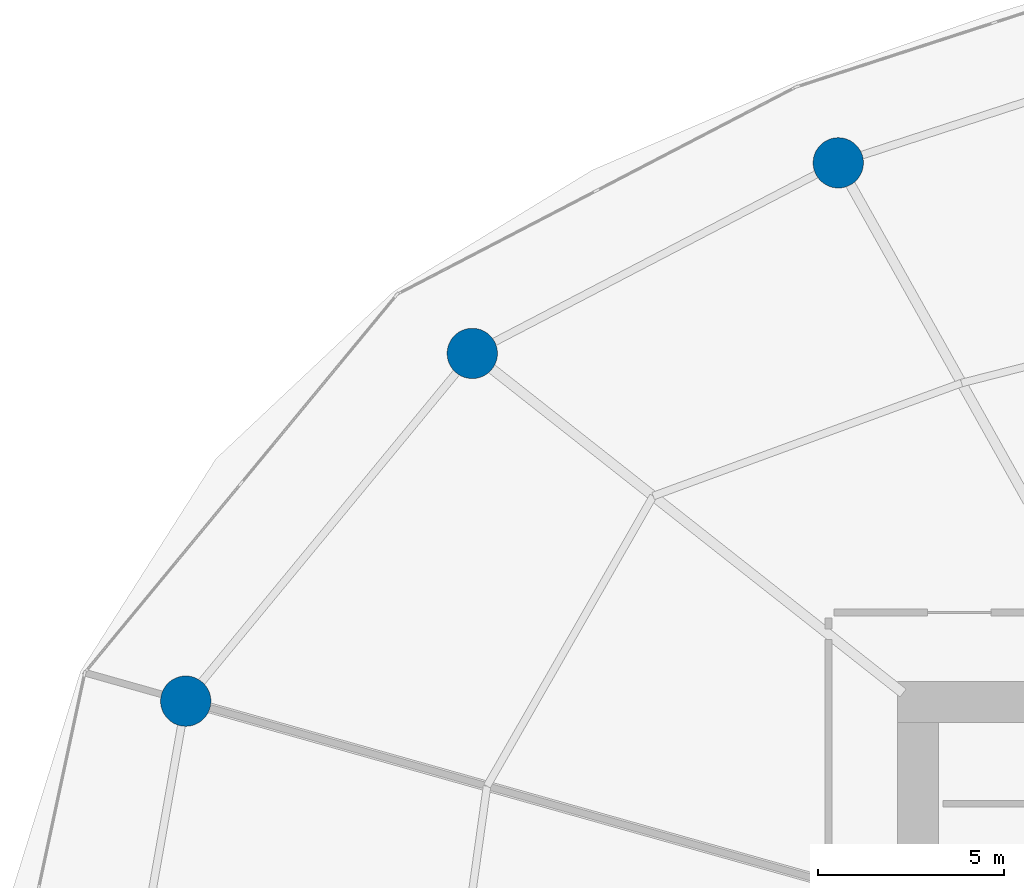
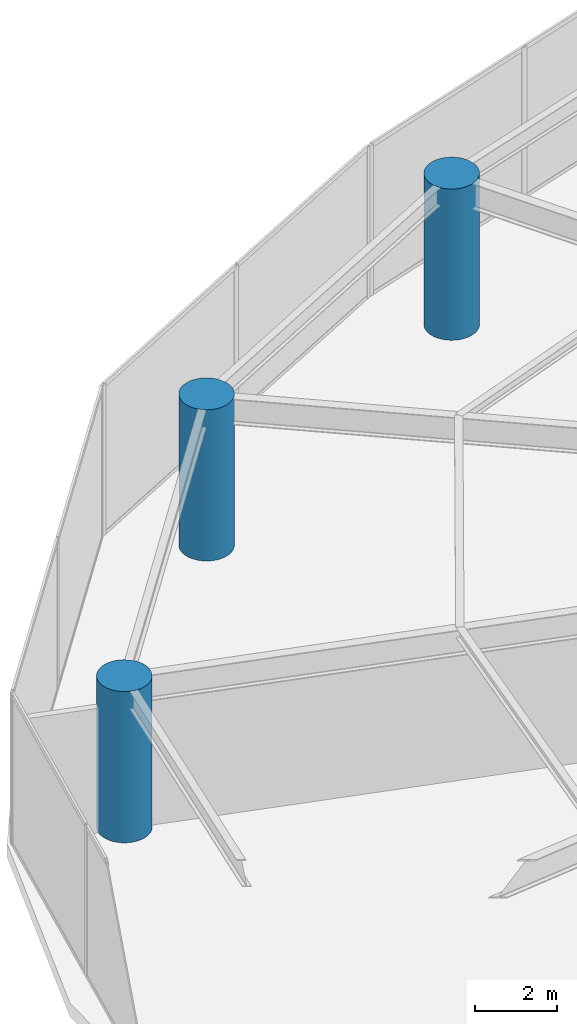
# One storey, part 4 of 22: 3 columns.
"""IFC4 building model written with IfcOpenShell, lengths in metres."""

from ifc_helpers import new_model, si_unit, direction, frame, origin, origin_2d, place, context, subcontext, project, spatial, circle, extrude, material, material_profile, profile_set, type_object, element, save


model = new_model("IFC4")

# Units and contexts
model_context = context("Model", 3, precision=1e-05, world=origin(), true_north=direction((0.0, 1.0)))
body_context = subcontext(model_context, "Body", "Model", "MODEL_VIEW")
ifc_project = project(units=[si_unit("LENGTHUNIT", "METRE"), si_unit("AREAUNIT", "SQUARE_METRE"), si_unit("VOLUMEUNIT", "CUBIC_METRE"), si_unit("PLANEANGLEUNIT", "RADIAN"), si_unit("MASSUNIT", "GRAM", prefix="KILO")], contexts=[model_context])

# Site, building, storey
site_placement = place(None, origin())
site = spatial("IfcSite", under=ifc_project, at=site_placement, CompositionType="ELEMENT")
building_placement = place(site_placement, origin())
building = spatial("IfcBuilding", under=site, at=building_placement, Name="Kazma Halo Residences", CompositionType="ELEMENT")
storey_placement = place(building_placement, frame((0.0, 0.0, 7.199951171875)))
storey = spatial("IfcBuildingStorey", under=building, at=storey_placement, Name="L01", CompositionType="ELEMENT", Elevation=7.199951171875)

# Columns
ifc_material = material(Name="Concrete C80/95", Category="concrete")
ifc_material_profile = material_profile(ifc_material, circle(Radius=0.675048828125, at=origin_2d()), Name="CIRC1350")
ifc_profile_set = profile_set([ifc_material_profile], Name="Concrete C80/95")
column_type = type_object("IfcColumnType", Name="COL-PERIM-1350", PredefinedType="COLUMN", material=ifc_profile_set)
for number, where, z_axis, x_axis, name in (
    (1, (35.110595703125, 65.015625, 0.0), (0.0, 0.0, 1.0), (1.0, 0.0, 0.0), "L01 perimeter ring column P05"),
    (2, (25.291015625, 59.90234375, 0.0), (0.0, 0.0, 1.0), (1.0, 0.0, 0.0), "L01 perimeter ring column P06"),
    (3, (17.602294921875, 50.572998046875, 0.0), (0.0, 0.0, 1.0), (1.0, 0.0, 0.0), "L01 perimeter ring column P07"),
):
    element("IfcColumn", number, at=place(storey_placement, frame(where, z_axis=z_axis, x_axis=x_axis)), inside=storey, type_object=column_type, Name=name, PredefinedType="COLUMN", context=body_context, shape_type="SweptSolid", body=[
        extrude(circle(Radius=0.675048828125, at=origin_2d()), origin(), (0.0, 0.0, 1.0), 4.47998046875),
    ])

save(model, "model.ifc")
